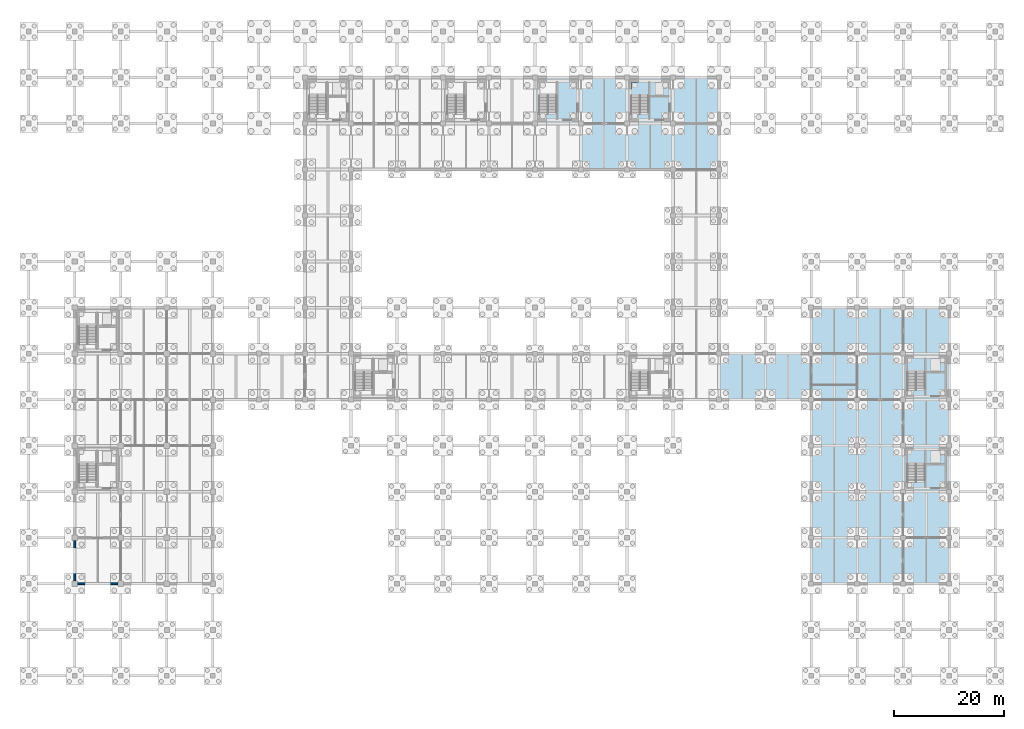
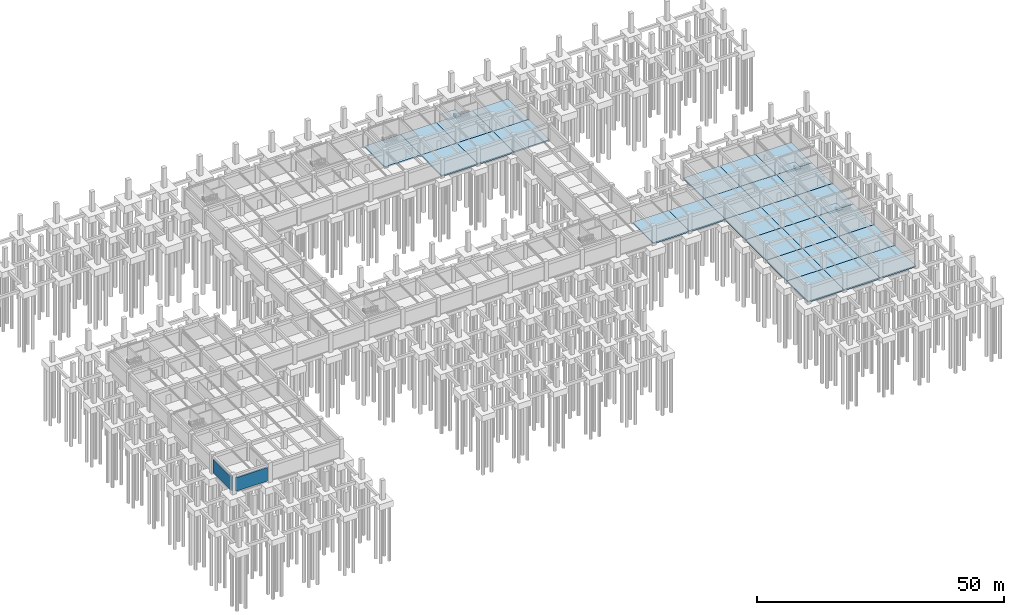
# One storey, part 17 of 29: 30 slabs, 2 walls, 3 elements without a shape of their own.
"""IFC4 building model written with IfcOpenShell, lengths in metres."""

from ifc_helpers import new_model, si_unit, direction, frame, frame_2d, origin, place, context, subcontext, project, spatial, polyline, rectangle, outline, extrude, material, layer, layer_set, type_object, element, aggregate, save


model = new_model("IFC4")

# Units and contexts
model_context = context("Model", 3, precision=1e-05, world=origin(), true_north=direction((0.0, 1.0)))
body_context = subcontext(model_context, "Body", "Model", "MODEL_VIEW")
ifc_project = project(units=[si_unit("LENGTHUNIT", "METRE"), si_unit("AREAUNIT", "SQUARE_METRE"), si_unit("VOLUMEUNIT", "CUBIC_METRE"), si_unit("PLANEANGLEUNIT", "RADIAN"), si_unit("MASSUNIT", "GRAM", prefix="KILO")], contexts=[model_context])

# Site, building, storey
site_placement = place(None, origin())
site = spatial("IfcSite", under=ifc_project, at=site_placement, CompositionType="ELEMENT")
building_placement = place(site_placement, origin())
building = spatial("IfcBuilding", under=site, at=building_placement, Name="Porcellanite Civic Hall", CompositionType="ELEMENT")
storey_placement = place(building_placement, frame((0.0, 0.0, -4.5)))
storey = spatial("IfcBuildingStorey", under=building, at=storey_placement, Name="B1", CompositionType="ELEMENT", Elevation=-4.5)

# Stair, slab
ifc_material_1 = material(Name="Concrete N40 (40 MPa)", Category="concrete")
stair_type = type_object("IfcStairType", Name="STR-HT25", PredefinedType="HALF_TURN_STAIR", material=ifc_material_1)
stair_1_placement = place(storey_placement, origin())
stair_1 = element("IfcStair", 1, at=stair_1_placement, inside=storey, type_object=stair_type, Name="Fire stair ST-04 B1", PredefinedType="HALF_TURN_STAIR")
ifc_material_2 = material(Name="Concrete N40 (40 MPa)", Category="concrete")
ifc_layer_1 = layer(ifc_material_2, 0.179931640625)
ifc_layer_set_1 = layer_set([ifc_layer_1], Name="Concrete N40 (40 MPa)")
slab_type_1 = type_object("IfcSlabType", Name="LND-18", PredefinedType="LANDING", material=ifc_layer_set_1)
slab_1_placement = place(storey_placement, frame((0.0, 0.0, 2.159912109375)))
slab_1 = element("IfcSlab", 2, at=slab_1_placement, type_object=slab_type_1, Name="ST-04 landing 1", PredefinedType="LANDING", context=body_context, shape_type="SweptSolid", body=[
    extrude(outline(polyline([(110.010498046875, 105.824951171875), (113.119384765625, 105.824951171875), (113.119384765625, 108.389404296875), (110.010498046875, 108.389404296875), (110.010498046875, 105.824951171875)])), origin(), (0.0, 0.0, 1.0), 0.18017578125),
])
aggregate(stair_1, [slab_1])

stair_2_placement = place(storey_placement, origin())
stair_2 = element("IfcStair", 3, at=stair_2_placement, inside=storey, type_object=stair_type, Name="Fire stair ST-07 B1", PredefinedType="HALF_TURN_STAIR")
slab_2_placement = place(storey_placement, frame((0.0, 0.0, 2.159912109375)))
slab_2 = element("IfcSlab", 4, at=slab_2_placement, type_object=slab_type_1, Name="ST-07 landing 1", PredefinedType="LANDING", context=body_context, shape_type="SweptSolid", body=[
    extrude(outline(polyline([(160.410400390625, 38.625), (163.51953125, 38.625), (163.51953125, 41.189453125), (160.410400390625, 41.189453125), (160.410400390625, 38.625)])), origin(), (0.0, 0.0, 1.0), 0.18017578125),
])
aggregate(stair_2, [slab_2])

stair_3_placement = place(storey_placement, origin())
stair_3 = element("IfcStair", 5, at=stair_3_placement, inside=storey, type_object=stair_type, Name="Fire stair ST-08 B1", PredefinedType="HALF_TURN_STAIR")
slab_3_placement = place(storey_placement, frame((0.0, 0.0, 2.159912109375)))
slab_3 = element("IfcSlab", 6, at=slab_3_placement, type_object=slab_type_1, Name="ST-08 landing 1", PredefinedType="LANDING", context=body_context, shape_type="SweptSolid", body=[
    extrude(outline(polyline([(160.410400390625, 55.425048828125), (163.51953125, 55.425048828125), (163.51953125, 57.989501953125), (160.410400390625, 57.989501953125), (160.410400390625, 55.425048828125)])), origin(), (0.0, 0.0, 1.0), 0.18017578125),
])
aggregate(stair_3, [slab_3])

# Slabs
ifc_material_3 = material(Name="Concrete N40 (40 MPa)", Category="concrete")
ifc_layer_2 = layer(ifc_material_3, 0.320068359375)
ifc_layer_set_2 = layer_set([ifc_layer_2], Name="Concrete N40 (40 MPa)")
slab_type_2 = type_object("IfcSlabType", Name="SL-BASE320", PredefinedType="BASESLAB", material=ifc_layer_set_2)
slab_4_placement = place(storey_placement, frame((0.0, 0.0, -0.320068359375)))
element("IfcSlab", 7, at=slab_4_placement, inside=storey, type_object=slab_type_2, Name="Slab B1 bay 12-13", PredefinedType="BASESLAB", context=body_context, shape_type="SweptSolid", body=[
    extrude(outline(polyline([(92.39990234375, 100.800048828125), (100.800048828125, 100.800048828125), (100.800048828125, 109.199951171875), (92.39990234375, 109.199951171875), (92.39990234375, 100.800048828125)])), origin(), (0.0, 0.0, 1.0), 0.320068359375),
])
slab_5_placement = place(storey_placement, frame((0.0, 0.0, -0.320068359375)))
element("IfcSlab", 8, at=slab_5_placement, inside=storey, type_object=slab_type_2, Name="Slab B1 bay 13-12", PredefinedType="BASESLAB", context=body_context, shape_type="SweptSolid", body=[
    extrude(outline(polyline([(100.800048828125, 92.39990234375), (109.199951171875, 92.39990234375), (109.199951171875, 100.800048828125), (100.800048828125, 100.800048828125), (100.800048828125, 92.39990234375)])), origin(), (0.0, 0.0, 1.0), 0.320068359375),
])
slab_6_placement = place(storey_placement, frame((0.0, 0.0, -0.320068359375)))
element("IfcSlab", 9, at=slab_6_placement, inside=storey, type_object=slab_type_2, Name="Slab B1 bay 14-13", PredefinedType="BASESLAB", context=body_context, shape_type="SweptSolid", body=[
    extrude(outline(polyline([(109.199951171875, 100.800048828125), (117.60009765625, 100.800048828125), (117.60009765625, 109.199951171875), (109.199951171875, 109.199951171875), (109.199951171875, 100.800048828125)])), origin(), (0.0, 0.0, 1.0), 0.320068359375),
])
slab_7_placement = place(storey_placement, frame((0.0, 0.0, -0.320068359375)))
element("IfcSlab", 10, at=slab_7_placement, inside=storey, type_object=slab_type_2, Name="Slab B1 bay 15-12", PredefinedType="BASESLAB", context=body_context, shape_type="SweptSolid", body=[
    extrude(outline(polyline([(117.60009765625, 92.39990234375), (126.0, 92.39990234375), (126.0, 100.800048828125), (117.60009765625, 100.800048828125), (117.60009765625, 92.39990234375)])), origin(), (0.0, 0.0, 1.0), 0.320068359375),
])
slab_8_placement = place(storey_placement, frame((0.0, 0.0, -0.320068359375)))
element("IfcSlab", 11, at=slab_8_placement, inside=storey, type_object=slab_type_2, Name="Slab B1 bay 16-7", PredefinedType="BASESLAB", context=body_context, shape_type="SweptSolid", body=[
    extrude(outline(polyline([(126.0, 50.39990234375), (134.39990234375, 50.39990234375), (134.39990234375, 58.800048828125), (126.0, 58.800048828125), (126.0, 50.39990234375)])), origin(), (0.0, 0.0, 1.0), 0.320068359375),
])
slab_9_placement = place(storey_placement, frame((0.0, 0.0, -0.320068359375)))
element("IfcSlab", 12, at=slab_9_placement, inside=storey, type_object=slab_type_2, Name="Slab B1 bay 18-3", PredefinedType="BASESLAB", context=body_context, shape_type="SweptSolid", body=[
    extrude(outline(polyline([(142.800048828125, 16.800048828125), (151.199951171875, 16.800048828125), (151.199951171875, 25.199951171875), (142.800048828125, 25.199951171875), (142.800048828125, 16.800048828125)])), origin(), (0.0, 0.0, 1.0), 0.320068359375),
])
slab_10_placement = place(storey_placement, frame((0.0, 0.0, -0.320068359375)))
element("IfcSlab", 13, at=slab_10_placement, inside=storey, type_object=slab_type_2, Name="Slab B1 bay 18-5", PredefinedType="BASESLAB", context=body_context, shape_type="SweptSolid", body=[
    extrude(outline(polyline([(142.800048828125, 33.60009765625), (151.199951171875, 33.60009765625), (151.199951171875, 42.0), (142.800048828125, 42.0), (142.800048828125, 33.60009765625)])), origin(), (0.0, 0.0, 1.0), 0.320068359375),
])
slab_11_placement = place(storey_placement, frame((0.0, 0.0, -0.320068359375)))
element("IfcSlab", 14, at=slab_11_placement, inside=storey, type_object=slab_type_2, Name="Slab B1 bay 18-7", PredefinedType="BASESLAB", context=body_context, shape_type="SweptSolid", body=[
    extrude(outline(polyline([(142.800048828125, 50.39990234375), (151.199951171875, 50.39990234375), (151.199951171875, 58.800048828125), (142.800048828125, 58.800048828125), (142.800048828125, 50.39990234375)])), origin(), (0.0, 0.0, 1.0), 0.320068359375),
])
slab_12_placement = place(storey_placement, frame((0.0, 0.0, -0.320068359375)))
element("IfcSlab", 15, at=slab_12_placement, inside=storey, type_object=slab_type_2, Name="Slab B1 bay 19-4", PredefinedType="BASESLAB", context=body_context, shape_type="SweptSolid", body=[
    extrude(outline(polyline([(151.199951171875, 25.199951171875), (159.60009765625, 25.199951171875), (159.60009765625, 33.60009765625), (151.199951171875, 33.60009765625), (151.199951171875, 25.199951171875)])), origin(), (0.0, 0.0, 1.0), 0.320068359375),
])
slab_13_placement = place(storey_placement, frame((0.0, 0.0, -0.320068359375)))
element("IfcSlab", 16, at=slab_13_placement, inside=storey, type_object=slab_type_2, Name="Slab B1 bay 19-6", PredefinedType="BASESLAB", context=body_context, shape_type="SweptSolid", body=[
    extrude(outline(polyline([(151.199951171875, 42.0), (159.60009765625, 42.0), (159.60009765625, 50.39990234375), (151.199951171875, 50.39990234375), (151.199951171875, 42.0)])), origin(), (0.0, 0.0, 1.0), 0.320068359375),
])
slab_14_placement = place(storey_placement, frame((0.0, 0.0, -0.320068359375)))
element("IfcSlab", 17, at=slab_14_placement, inside=storey, type_object=slab_type_2, Name="Slab B1 bay 19-8", PredefinedType="BASESLAB", context=body_context, shape_type="SweptSolid", body=[
    extrude(outline(polyline([(151.199951171875, 58.800048828125), (159.60009765625, 58.800048828125), (159.60009765625, 67.199951171875), (151.199951171875, 67.199951171875), (151.199951171875, 58.800048828125)])), origin(), (0.0, 0.0, 1.0), 0.320068359375),
])
slab_15_placement = place(storey_placement, frame((0.0, 0.0, -0.320068359375)))
element("IfcSlab", 18, at=slab_15_placement, inside=storey, type_object=slab_type_2, Name="Slab B1 bay 20-3", PredefinedType="BASESLAB", context=body_context, shape_type="SweptSolid", body=[
    extrude(outline(polyline([(159.60009765625, 16.800048828125), (168.0, 16.800048828125), (168.0, 25.199951171875), (159.60009765625, 25.199951171875), (159.60009765625, 16.800048828125)])), origin(), (0.0, 0.0, 1.0), 0.320068359375),
])
slab_16_placement = place(storey_placement, frame((0.0, 0.0, -0.320068359375)))
element("IfcSlab", 19, at=slab_16_placement, inside=storey, type_object=slab_type_2, Name="Slab B1 bay 20-5", PredefinedType="BASESLAB", context=body_context, shape_type="SweptSolid", body=[
    extrude(outline(polyline([(159.60009765625, 33.60009765625), (168.0, 33.60009765625), (168.0, 42.0), (159.60009765625, 42.0), (159.60009765625, 33.60009765625)])), origin(), (0.0, 0.0, 1.0), 0.320068359375),
])
slab_17_placement = place(storey_placement, frame((0.0, 0.0, -0.320068359375)))
element("IfcSlab", 20, at=slab_17_placement, inside=storey, type_object=slab_type_2, Name="Slab B1 bay 20-7", PredefinedType="BASESLAB", context=body_context, shape_type="SweptSolid", body=[
    extrude(outline(polyline([(159.60009765625, 50.39990234375), (168.0, 50.39990234375), (168.0, 58.800048828125), (159.60009765625, 58.800048828125), (159.60009765625, 50.39990234375)])), origin(), (0.0, 0.0, 1.0), 0.320068359375),
])
ifc_material_4 = material(Name="Concrete N40 (40 MPa)", Category="concrete")
ifc_layer_3 = layer(ifc_material_4, 0.35009765625)
ifc_layer_set_3 = layer_set([ifc_layer_3], Name="Concrete N40 (40 MPa)")
slab_type_3 = type_object("IfcSlabType", Name="SL-BASE350", PredefinedType="BASESLAB", material=ifc_layer_set_3)
slab_18_placement = place(storey_placement, frame((0.0, 0.0, -0.35009765625)))
element("IfcSlab", 21, at=slab_18_placement, inside=storey, type_object=slab_type_3, Name="Slab B1 bay 13-13", PredefinedType="BASESLAB", context=body_context, shape_type="SweptSolid", body=[
    extrude(outline(polyline([(100.800048828125, 100.800048828125), (109.199951171875, 100.800048828125), (109.199951171875, 109.199951171875), (100.800048828125, 109.199951171875), (100.800048828125, 100.800048828125)])), origin(), (0.0, 0.0, 1.0), 0.35009765625),
])
slab_19_placement = place(storey_placement, frame((0.0, 0.0, -0.35009765625)))
element("IfcSlab", 22, at=slab_19_placement, inside=storey, type_object=slab_type_3, Name="Slab B1 bay 14-12", PredefinedType="BASESLAB", context=body_context, shape_type="SweptSolid", body=[
    extrude(outline(polyline([(109.199951171875, 92.39990234375), (117.60009765625, 92.39990234375), (117.60009765625, 100.800048828125), (109.199951171875, 100.800048828125), (109.199951171875, 92.39990234375)])), origin(), (0.0, 0.0, 1.0), 0.35009765625),
])
slab_20_placement = place(storey_placement, frame((0.0, 0.0, -0.35009765625)))
element("IfcSlab", 23, at=slab_20_placement, inside=storey, type_object=slab_type_3, Name="Slab B1 bay 15-13", PredefinedType="BASESLAB", context=body_context, shape_type="SweptSolid", body=[
    extrude(outline(polyline([(117.60009765625, 100.800048828125), (126.0, 100.800048828125), (126.0, 109.199951171875), (117.60009765625, 109.199951171875), (117.60009765625, 100.800048828125)])), origin(), (0.0, 0.0, 1.0), 0.35009765625),
])
slab_21_placement = place(storey_placement, frame((0.0, 0.0, -0.35009765625)))
element("IfcSlab", 24, at=slab_21_placement, inside=storey, type_object=slab_type_3, Name="Slab B1 bay 17-7", PredefinedType="BASESLAB", context=body_context, shape_type="SweptSolid", body=[
    extrude(outline(polyline([(134.39990234375, 50.39990234375), (142.800048828125, 50.39990234375), (142.800048828125, 58.800048828125), (134.39990234375, 58.800048828125), (134.39990234375, 50.39990234375)])), origin(), (0.0, 0.0, 1.0), 0.35009765625),
])
slab_22_placement = place(storey_placement, frame((0.0, 0.0, -0.35009765625)))
element("IfcSlab", 25, at=slab_22_placement, inside=storey, type_object=slab_type_3, Name="Slab B1 bay 18-4", PredefinedType="BASESLAB", context=body_context, shape_type="SweptSolid", body=[
    extrude(outline(polyline([(142.800048828125, 25.199951171875), (151.199951171875, 25.199951171875), (151.199951171875, 33.60009765625), (142.800048828125, 33.60009765625), (142.800048828125, 25.199951171875)])), origin(), (0.0, 0.0, 1.0), 0.35009765625),
])
slab_23_placement = place(storey_placement, frame((0.0, 0.0, -0.35009765625)))
element("IfcSlab", 26, at=slab_23_placement, inside=storey, type_object=slab_type_3, Name="Slab B1 bay 18-6", PredefinedType="BASESLAB", context=body_context, shape_type="SweptSolid", body=[
    extrude(outline(polyline([(142.800048828125, 42.0), (151.199951171875, 42.0), (151.199951171875, 50.39990234375), (142.800048828125, 50.39990234375), (142.800048828125, 42.0)])), origin(), (0.0, 0.0, 1.0), 0.35009765625),
])
slab_24_placement = place(storey_placement, frame((0.0, 0.0, -0.35009765625)))
element("IfcSlab", 27, at=slab_24_placement, inside=storey, type_object=slab_type_3, Name="Slab B1 bay 18-8", PredefinedType="BASESLAB", context=body_context, shape_type="SweptSolid", body=[
    extrude(outline(polyline([(142.800048828125, 58.800048828125), (151.199951171875, 58.800048828125), (151.199951171875, 67.199951171875), (142.800048828125, 67.199951171875), (142.800048828125, 58.800048828125)])), origin(), (0.0, 0.0, 1.0), 0.35009765625),
])
slab_25_placement = place(storey_placement, frame((0.0, 0.0, -0.35009765625)))
element("IfcSlab", 28, at=slab_25_placement, inside=storey, type_object=slab_type_3, Name="Slab B1 bay 19-3", PredefinedType="BASESLAB", context=body_context, shape_type="SweptSolid", body=[
    extrude(outline(polyline([(151.199951171875, 16.800048828125), (159.60009765625, 16.800048828125), (159.60009765625, 25.199951171875), (151.199951171875, 25.199951171875), (151.199951171875, 16.800048828125)])), origin(), (0.0, 0.0, 1.0), 0.35009765625),
])
slab_26_placement = place(storey_placement, frame((0.0, 0.0, -0.35009765625)))
element("IfcSlab", 29, at=slab_26_placement, inside=storey, type_object=slab_type_3, Name="Slab B1 bay 19-5", PredefinedType="BASESLAB", context=body_context, shape_type="SweptSolid", body=[
    extrude(outline(polyline([(151.199951171875, 33.60009765625), (159.60009765625, 33.60009765625), (159.60009765625, 42.0), (151.199951171875, 42.0), (151.199951171875, 33.60009765625)])), origin(), (0.0, 0.0, 1.0), 0.35009765625),
])
slab_27_placement = place(storey_placement, frame((0.0, 0.0, -0.35009765625)))
element("IfcSlab", 30, at=slab_27_placement, inside=storey, type_object=slab_type_3, Name="Slab B1 bay 19-7", PredefinedType="BASESLAB", context=body_context, shape_type="SweptSolid", body=[
    extrude(outline(polyline([(151.199951171875, 50.39990234375), (159.60009765625, 50.39990234375), (159.60009765625, 58.800048828125), (151.199951171875, 58.800048828125), (151.199951171875, 50.39990234375)])), origin(), (0.0, 0.0, 1.0), 0.35009765625),
])
slab_28_placement = place(storey_placement, frame((0.0, 0.0, -0.35009765625)))
element("IfcSlab", 31, at=slab_28_placement, inside=storey, type_object=slab_type_3, Name="Slab B1 bay 20-4", PredefinedType="BASESLAB", context=body_context, shape_type="SweptSolid", body=[
    extrude(outline(polyline([(159.60009765625, 25.199951171875), (168.0, 25.199951171875), (168.0, 33.60009765625), (159.60009765625, 33.60009765625), (159.60009765625, 25.199951171875)])), origin(), (0.0, 0.0, 1.0), 0.35009765625),
])
slab_29_placement = place(storey_placement, frame((0.0, 0.0, -0.35009765625)))
element("IfcSlab", 32, at=slab_29_placement, inside=storey, type_object=slab_type_3, Name="Slab B1 bay 20-6", PredefinedType="BASESLAB", context=body_context, shape_type="SweptSolid", body=[
    extrude(outline(polyline([(159.60009765625, 42.0), (168.0, 42.0), (168.0, 50.39990234375), (159.60009765625, 50.39990234375), (159.60009765625, 42.0)])), origin(), (0.0, 0.0, 1.0), 0.35009765625),
])
slab_30_placement = place(storey_placement, frame((0.0, 0.0, -0.35009765625)))
element("IfcSlab", 33, at=slab_30_placement, inside=storey, type_object=slab_type_3, Name="Slab B1 bay 20-8", PredefinedType="BASESLAB", context=body_context, shape_type="SweptSolid", body=[
    extrude(outline(polyline([(159.60009765625, 58.800048828125), (168.0, 58.800048828125), (168.0, 67.199951171875), (159.60009765625, 67.199951171875), (159.60009765625, 58.800048828125)])), origin(), (0.0, 0.0, 1.0), 0.35009765625),
])

# Walls
ifc_material_5 = material(Name="Concrete N40 (40 MPa)", Category="concrete")
ifc_layer_4 = layer(ifc_material_5, 0.35009765625)
ifc_layer_set_4 = layer_set([ifc_layer_4], Name="Concrete N40 (40 MPa)")
wall_type = type_object("IfcWallType", Name="EW-BSM350", PredefinedType="SOLIDWALL", material=ifc_layer_set_4)
wall_1_placement = place(storey_placement, frame((16.323974609375, 16.800048828125, 0.0), z_axis=(0.0, 0.0, 1.0), x_axis=(-1.0, 0.0, 0.0)))
element("IfcWall", 34, at=wall_1_placement, inside=storey, type_object=wall_type, Name="Exterior wall B1 S 2-3", PredefinedType="SOLIDWALL", context=body_context, shape_type="SweptSolid", body=[
    extrude(rectangle(XDim=7.447998046875, YDim=0.35009765625, at=frame_2d((3.72412109375, 0.0))), origin(), (0.0, 0.0, 1.0), 3.35009765625),
])
wall_2_placement = place(storey_placement, frame((8.39990234375, 17.27587890625, 0.0), z_axis=(0.0, 0.0, 1.0), x_axis=(0.0, 1.0, 0.0)))
element("IfcWall", 35, at=wall_2_placement, inside=storey, type_object=wall_type, Name="Exterior wall B1 W 2-3", PredefinedType="SOLIDWALL", context=body_context, shape_type="SweptSolid", body=[
    extrude(rectangle(XDim=7.4482421875, YDim=0.35009765625, at=frame_2d((3.72412109375, 0.0))), origin(), (0.0, 0.0, 1.0), 3.35009765625),
])

save(model, "model.ifc")
